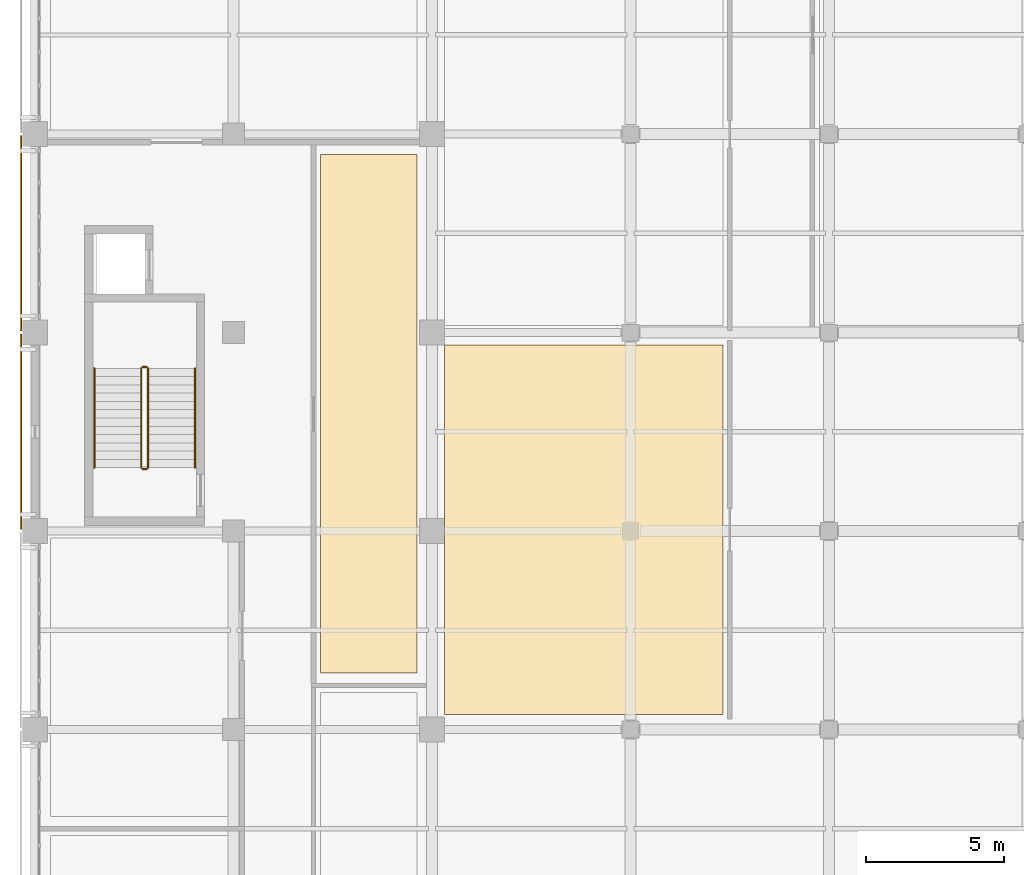
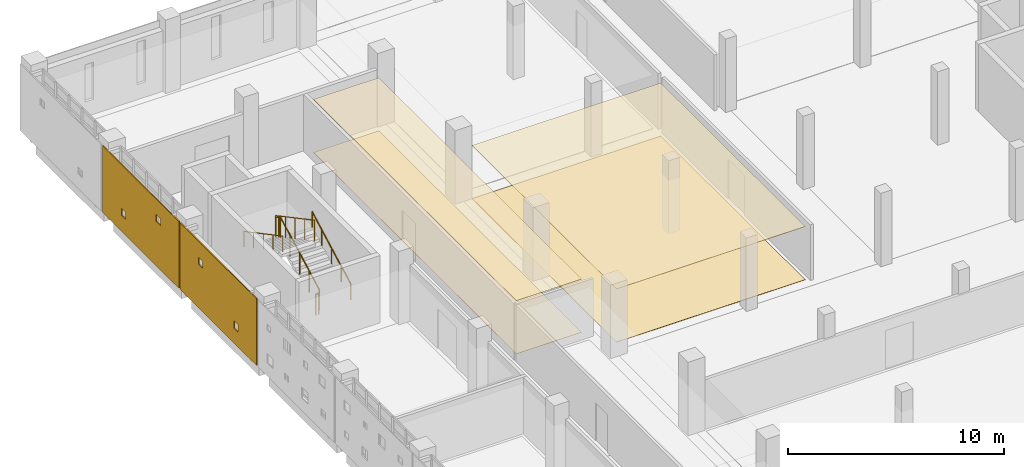
# One storey, part 58 of 62: 6 coverings, 6 railings.
"""IFC4 building model written with IfcOpenShell, lengths in metres."""

from ifc_helpers import new_model, si_unit, direction, frame, origin, origin_2d, place, context, subcontext, project, spatial, polyline, circle, outline, extrude, material, layer, layer_set, type_object, element, save


model = new_model("IFC4")

# Units and contexts
model_context = context("Model", 3, precision=1e-05, world=origin(), true_north=direction((0.0, 1.0)))
body_context = subcontext(model_context, "Body", "Model", "MODEL_VIEW")
ifc_project = project(units=[si_unit("LENGTHUNIT", "METRE"), si_unit("AREAUNIT", "SQUARE_METRE"), si_unit("VOLUMEUNIT", "CUBIC_METRE"), si_unit("PLANEANGLEUNIT", "RADIAN"), si_unit("MASSUNIT", "GRAM", prefix="KILO")], contexts=[model_context])

# Site, building, storey
site_placement = place(None, origin())
site = spatial("IfcSite", under=ifc_project, at=site_placement, CompositionType="ELEMENT")
building_placement = place(site_placement, origin())
building = spatial("IfcBuilding", under=site, at=building_placement, Name="Valkovuoma Quantum and Materials Research Institute", CompositionType="ELEMENT")
storey_placement = place(building_placement, frame((0.0, 0.0, 13.1201171875)))
storey = spatial("IfcBuildingStorey", under=building, at=storey_placement, Name="L03", CompositionType="ELEMENT", Elevation=13.1201171875)

# Coverings
ifc_material_1 = material(Name="Cleanable acoustic mineral-fibre suspended ceiling", Category="masonry")
ifc_layer_1 = layer(ifc_material_1, 0.02490234375)
ifc_layer_set_1 = layer_set([ifc_layer_1], Name="Cleanable acoustic mineral-fibre suspended ceiling")
covering_type_1 = type_object("IfcCoveringType", Name="Cov-CEIL-01", PredefinedType="CEILING", material=ifc_layer_set_1)
covering_1_placement = place(storey_placement, frame((0.0, 0.0, 3.0)))
element("IfcCovering", 1, at=covering_1_placement, inside=storey, type_object=covering_type_1, Name="L03 acoustic ceiling 0088", PredefinedType="CEILING", context=body_context, shape_type="SweptSolid", body=[
    extrude(outline(polyline([(10.35009765625, 66.85009765625), (13.85009765625, 66.85009765625), (13.85009765625, 85.64990234375), (10.35009765625, 85.64990234375), (10.35009765625, 66.85009765625)])), origin(), (0.0, 0.0, 1.0), 0.02490234375),
])
covering_2_placement = place(storey_placement, frame((0.0, 0.0, 3.0)))
element("IfcCovering", 2, at=covering_2_placement, inside=storey, type_object=covering_type_1, Name="L03 acoustic ceiling 0092", PredefinedType="CEILING", context=body_context, shape_type="SweptSolid", body=[
    extrude(outline(polyline([(14.85009765625, 65.35009765625), (24.949951171875, 65.35009765625), (24.949951171875, 78.75), (14.85009765625, 78.75), (14.85009765625, 65.35009765625)])), origin(), (0.0, 0.0, 1.0), 0.02490234375),
])
ifc_material_2 = material(Name="Seamless dissipative laboratory resin flooring", Category="masonry")
ifc_layer_2 = layer(ifc_material_2, 0.014892578125)
ifc_layer_set_2 = layer_set([ifc_layer_2], Name="Seamless dissipative laboratory resin flooring")
covering_type_2 = type_object("IfcCoveringType", Name="Cov-FLOR-01", PredefinedType="FLOORING", material=ifc_layer_set_2)
covering_3_placement = place(storey_placement, origin())
element("IfcCovering", 3, at=covering_3_placement, inside=storey, type_object=covering_type_2, Name="L03 resin flooring 0088", PredefinedType="FLOORING", context=body_context, shape_type="SweptSolid", body=[
    extrude(outline(polyline([(10.35009765625, 66.85009765625), (13.85009765625, 66.85009765625), (13.85009765625, 85.64990234375), (10.35009765625, 85.64990234375), (10.35009765625, 66.85009765625)])), origin(), (0.0, 0.0, 1.0), 0.014892578125),
])
covering_4_placement = place(storey_placement, origin())
element("IfcCovering", 4, at=covering_4_placement, inside=storey, type_object=covering_type_2, Name="L03 resin flooring 0092", PredefinedType="FLOORING", context=body_context, shape_type="SweptSolid", body=[
    extrude(outline(polyline([(14.85009765625, 65.35009765625), (24.949951171875, 65.35009765625), (24.949951171875, 78.75), (14.85009765625, 78.75), (14.85009765625, 65.35009765625)])), origin(), (0.0, 0.0, 1.0), 0.014892578125),
])
ifc_material_3 = material(Name="White powder-coated aluminium architectural panel", Category="aluminium")
ifc_layer_3 = layer(ifc_material_3, 0.054931640625)
ifc_layer_set_3 = layer_set([ifc_layer_3], Name="White powder-coated aluminium architectural panel")
covering_type_3 = type_object("IfcCoveringType", Name="Cov-PERF-SPARSE", PredefinedType="CLADDING", material=ifc_layer_set_3)
covering_5_placement = place(storey_placement, frame((-0.52001953125, 72.06005859375, 0.019775390625), z_axis=(0.0, 0.0, 1.0), x_axis=(0.0, 1.0, 0.0)))
element("IfcCovering", 5, at=covering_5_placement, inside=storey, type_object=covering_type_3, Name="L03 graduated perforated white screen W-0034", PredefinedType="CLADDING", context=body_context, shape_type="SweptSolid", body=[
    extrude(outline(polyline([(0.0, 0.0), (7.079833984375, 0.0), (7.079833984375, 3.77001953125), (0.0, 3.77001953125), (0.0, 0.0)]), holes=[polyline([(1.695068359375, 0.8525390625), (1.695068359375, 1.25244140625), (2.094970703125, 1.25244140625), (2.094970703125, 0.8525390625), (1.695068359375, 0.8525390625)]), polyline([(4.985107421875, 2.467529296875), (4.985107421875, 2.867431640625), (5.385009765625, 2.867431640625), (5.385009765625, 2.467529296875), (4.985107421875, 2.467529296875)])]), frame((0.0, 0.02734375, 0.0), z_axis=(0.0, -1.0, 0.0), x_axis=(1.0, 0.0, 0.0)), (0.0, 0.0, 1.0), 0.054931640625),
])
covering_6_placement = place(storey_placement, frame((-0.52001953125, 79.260009765625, 0.019775390625), z_axis=(0.0, 0.0, 1.0), x_axis=(0.0, 1.0, 0.0)))
element("IfcCovering", 6, at=covering_6_placement, inside=storey, type_object=covering_type_3, Name="L03 graduated perforated white screen W-0035", PredefinedType="CLADDING", context=body_context, shape_type="SweptSolid", body=[
    extrude(outline(polyline([(0.0, 0.0), (7.080078125, 0.0), (7.080078125, 3.77001953125), (0.0, 3.77001953125), (0.0, 0.0)]), holes=[polyline([(1.695068359375, 2.517578125), (1.695068359375, 2.91748046875), (2.094970703125, 2.91748046875), (2.094970703125, 2.517578125), (1.695068359375, 2.517578125)]), polyline([(4.925048828125, 0.902587890625), (4.925048828125, 1.302490234375), (5.324951171875, 1.302490234375), (5.324951171875, 0.902587890625), (4.925048828125, 0.902587890625)])]), frame((0.0, 0.02734375, 0.0), z_axis=(0.0, -1.0, 0.0), x_axis=(1.0, 0.0, 0.0)), (0.0, 0.0, 1.0), 0.054931640625),
])

# Railings
ifc_material_4 = material(Name="Painted steel stair balustrade", Category="steel")
railing_type_1 = type_object("IfcRailingType", Name="Rail-GRD-ST", PredefinedType="BALUSTRADE", material=ifc_material_4)
railing_1_placement = place(storey_placement, frame((4.10009765625, 74.300048828125, 0.159912109375)))
element("IfcRailing", 7, at=railing_1_placement, inside=storey, type_object=railing_type_1, Name="L03 ST-2 stair guard 1", PredefinedType="BALUSTRADE", context=body_context, shape_type="SweptSolid", body=[
    extrude(circle(Radius=0.02392578125, at=origin_2d()), frame((0.0, 0.0, 1.17578125), z_axis=(0.0, 0.882352941176, 0.470588235294), x_axis=(-1.0, 0.0, 0.0)), (0.0, 0.0, 1.0), 4.079833984375),
    extrude(circle(Radius=0.02099609375, at=origin_2d()), origin(), (0.0, 0.0, 1.0), 1.15185546875),
    extrude(circle(Radius=0.02099609375, at=origin_2d()), frame((0.0, 0.89990234375, 0.47998046875)), (0.0, 0.0, 1.0), 1.15185546875),
    extrude(circle(Radius=0.02099609375, at=origin_2d()), frame((0.0, 1.7998046875, 0.9599609375)), (0.0, 0.0, 1.0), 1.15185546875),
    extrude(circle(Radius=0.02099609375, at=origin_2d()), frame((0.0, 2.699951171875, 1.43994140625)), (0.0, 0.0, 1.0), 1.15185546875),
    extrude(circle(Radius=0.02099609375, at=origin_2d()), frame((0.0, 3.599853515625, 1.919921875)), (0.0, 0.0, 1.0), 1.15185546875),
])
railing_2_placement = place(storey_placement, frame((4.050048828125, 77.949951171875, 2.079833984375)))
element("IfcRailing", 8, at=railing_2_placement, inside=storey, type_object=railing_type_1, Name="L03 ST-2 stair guard 2", PredefinedType="BALUSTRADE", context=body_context, shape_type="SweptSolid", body=[
    extrude(circle(Radius=0.02392578125, at=origin_2d()), frame((0.0, 0.0, 1.17578125), z_axis=(-1.0, 0.0, 0.0), x_axis=(0.0, -1.0, 0.0)), (0.0, 0.0, 1.0), 0.150146484375),
    extrude(circle(Radius=0.02099609375, at=origin_2d()), origin(), (0.0, 0.0, 1.0), 1.15185546875),
    extrude(circle(Radius=0.02099609375, at=origin_2d()), frame((-0.150146484375, 0.0, 0.0)), (0.0, 0.0, 1.0), 1.15185546875),
])
railing_3_placement = place(storey_placement, frame((3.85009765625, 77.89990234375, 2.239990234375)))
element("IfcRailing", 9, at=railing_3_placement, inside=storey, type_object=railing_type_1, Name="L03 ST-2 stair guard 3", PredefinedType="BALUSTRADE", context=body_context, shape_type="SweptSolid", body=[
    extrude(circle(Radius=0.02392578125, at=origin_2d()), frame((0.0, 0.0, 1.17578125), z_axis=(0.0, -0.882352941176, 0.470588235294), x_axis=(1.0, 0.0, 0.0)), (0.0, 0.0, 1.0), 4.079833984375),
    extrude(circle(Radius=0.02099609375, at=origin_2d()), origin(), (0.0, 0.0, 1.0), 1.15185546875),
    extrude(circle(Radius=0.02099609375, at=origin_2d()), frame((0.0, -0.89990234375, 0.47998046875)), (0.0, 0.0, 1.0), 1.15185546875),
    extrude(circle(Radius=0.02099609375, at=origin_2d()), frame((0.0, -1.7998046875, 0.9599609375)), (0.0, 0.0, 1.0), 1.15185546875),
    extrude(circle(Radius=0.02099609375, at=origin_2d()), frame((0.0, -2.699951171875, 1.43994140625)), (0.0, 0.0, 1.0), 1.15185546875),
    extrude(circle(Radius=0.02099609375, at=origin_2d()), frame((0.0, -3.599853515625, 1.919921875)), (0.0, 0.0, 1.0), 1.15185546875),
])
railing_4_placement = place(storey_placement, frame((4.050048828125, 74.25, 0.0)))
element("IfcRailing", 10, at=railing_4_placement, inside=storey, type_object=railing_type_1, Name="L03 ST-2 stair guard 4", PredefinedType="BALUSTRADE", context=body_context, shape_type="SweptSolid", body=[
    extrude(circle(Radius=0.02392578125, at=origin_2d()), frame((0.0, 0.0, 1.17578125), z_axis=(-1.0, 0.0, 0.0), x_axis=(0.0, -1.0, 0.0)), (0.0, 0.0, 1.0), 0.150146484375),
    extrude(circle(Radius=0.02099609375, at=origin_2d()), origin(), (0.0, 0.0, 1.0), 1.15185546875),
    extrude(circle(Radius=0.02099609375, at=origin_2d()), frame((-0.150146484375, 0.0, 0.0)), (0.0, 0.0, 1.0), 1.15185546875),
])
ifc_material_5 = material(Name="Brushed stainless steel handrail", Category="steel")
railing_type_2 = type_object("IfcRailingType", Name="Rail-HR-ST", PredefinedType="HANDRAIL", material=ifc_material_5)
railing_5_placement = place(storey_placement, frame((5.800048828125, 74.300048828125, 0.159912109375)))
element("IfcRailing", 11, at=railing_5_placement, inside=storey, type_object=railing_type_2, Name="L03 ST-2 stair handrail 1", PredefinedType="HANDRAIL", context=body_context, shape_type="SweptSolid", body=[
    extrude(circle(Radius=0.02392578125, at=origin_2d()), frame((0.0, 0.0, 0.8759765625), z_axis=(0.0, 0.882352941176, 0.470588235294), x_axis=(-1.0, 0.0, 0.0)), (0.0, 0.0, 1.0), 4.079833984375),
    extrude(circle(Radius=0.02099609375, at=origin_2d()), origin(), (0.0, 0.0, 1.0), 0.851806640625),
    extrude(circle(Radius=0.02099609375, at=origin_2d()), frame((0.0, 0.89990234375, 0.47998046875)), (0.0, 0.0, 1.0), 0.851806640625),
    extrude(circle(Radius=0.02099609375, at=origin_2d()), frame((0.0, 1.7998046875, 0.9599609375)), (0.0, 0.0, 1.0), 0.851806640625),
    extrude(circle(Radius=0.02099609375, at=origin_2d()), frame((0.0, 2.699951171875, 1.43994140625)), (0.0, 0.0, 1.0), 0.851806640625),
    extrude(circle(Radius=0.02099609375, at=origin_2d()), frame((0.0, 3.599853515625, 1.919921875)), (0.0, 0.0, 1.0), 0.851806640625),
])
railing_6_placement = place(storey_placement, frame((2.14990234375, 77.89990234375, 2.239990234375)))
element("IfcRailing", 12, at=railing_6_placement, inside=storey, type_object=railing_type_2, Name="L03 ST-2 stair handrail 2", PredefinedType="HANDRAIL", context=body_context, shape_type="SweptSolid", body=[
    extrude(circle(Radius=0.02392578125, at=origin_2d()), frame((0.0, 0.0, 0.8759765625), z_axis=(0.0, -0.882352941176, 0.470588235294), x_axis=(1.0, 0.0, 0.0)), (0.0, 0.0, 1.0), 4.079833984375),
    extrude(circle(Radius=0.02099609375, at=origin_2d()), origin(), (0.0, 0.0, 1.0), 0.851806640625),
    extrude(circle(Radius=0.02099609375, at=origin_2d()), frame((0.0, -0.89990234375, 0.47998046875)), (0.0, 0.0, 1.0), 0.851806640625),
    extrude(circle(Radius=0.02099609375, at=origin_2d()), frame((0.0, -1.7998046875, 0.9599609375)), (0.0, 0.0, 1.0), 0.851806640625),
    extrude(circle(Radius=0.02099609375, at=origin_2d()), frame((0.0, -2.699951171875, 1.43994140625)), (0.0, 0.0, 1.0), 0.851806640625),
    extrude(circle(Radius=0.02099609375, at=origin_2d()), frame((0.0, -3.599853515625, 1.919921875)), (0.0, 0.0, 1.0), 0.851806640625),
])

save(model, "model.ifc")
